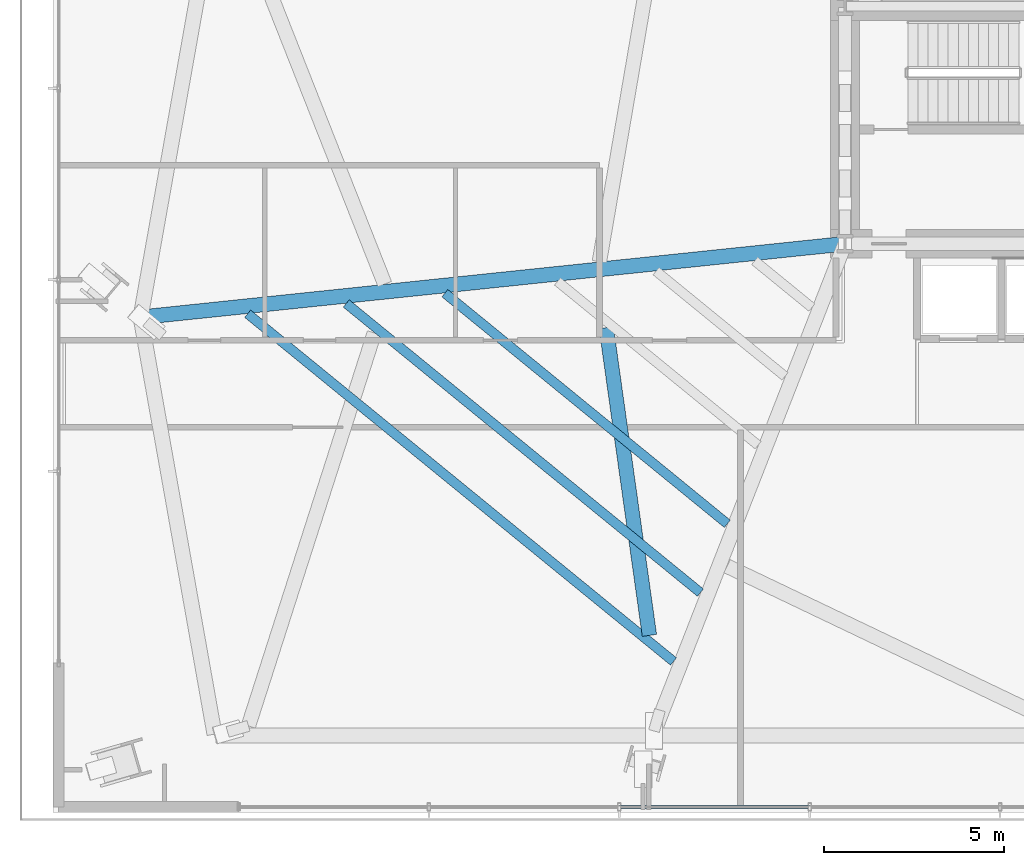
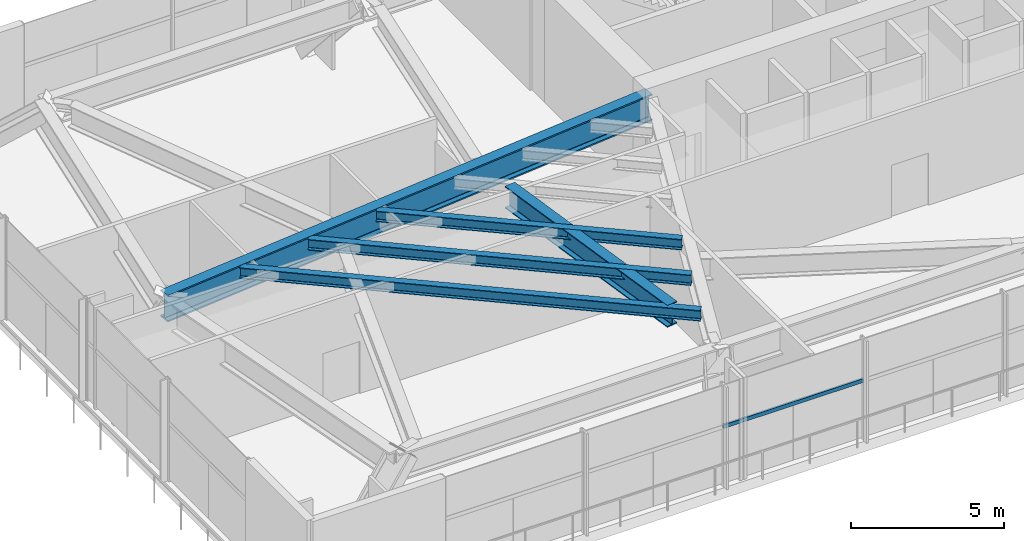
# One storey, part 5 of 29: 5 beams, 1 member, 1 element without a shape of its own.
"""IFC4 building model written with IfcOpenShell, lengths in metres."""

from ifc_helpers import new_model, si_unit, direction, frame, origin, origin_2d, place, context, subcontext, project, spatial, hollow_rectangle, i_section, extrude, source, transform, mapped, material, material_profile, profile_set, type_object, type_shapes, element, aggregate, save


model = new_model("IFC4")

# Units and contexts
model_context = context("Model", 3, precision=1e-05, world=origin(), true_north=direction((0.0, 1.0)))
body_context = subcontext(model_context, "Body", "Model", "MODEL_VIEW")
ifc_project = project(units=[si_unit("LENGTHUNIT", "METRE"), si_unit("AREAUNIT", "SQUARE_METRE"), si_unit("VOLUMEUNIT", "CUBIC_METRE"), si_unit("PLANEANGLEUNIT", "RADIAN"), si_unit("MASSUNIT", "GRAM", prefix="KILO")], contexts=[model_context])

# Site, building, storey
site_placement = place(None, origin())
site = spatial("IfcSite", under=ifc_project, at=site_placement, CompositionType="ELEMENT")
building_placement = place(site_placement, origin())
building = spatial("IfcBuilding", under=site, at=building_placement, Name="Astriad Promenade Condominiums", CompositionType="ELEMENT")
storey_placement = place(building_placement, frame((0.0, 0.0, 18.5)))
storey = spatial("IfcBuildingStorey", under=building, at=storey_placement, Name="L04", CompositionType="ELEMENT", Elevation=18.5)

# Beams
ifc_material_1 = material(Name="Steel ASTM A992 Grade 50", Category="steel")
ifc_material_profile_1 = material_profile(ifc_material_1, i_section(OverallWidth=0.409423828125, OverallDepth=1.06591796875, WebThickness=0.031005859375, FlangeThickness=0.055908203125, FilletRadius=0.025390625, at=origin_2d()), Name="W40X397")
ifc_profile_set_1 = profile_set([ifc_material_profile_1], Name="Steel ASTM A992 Grade 50")
beam_type_1 = type_object("IfcBeamType", Name="STEEL TRANSFER GIRDER W40X397", PredefinedType="BEAM", material=ifc_profile_set_1)
shared_shape_1 = source(origin(), body_context, "Body", "SweptSolid", [
    extrude(i_section(OverallWidth=0.409423828125, OverallDepth=1.06591796875, WebThickness=0.031005859375, FlangeThickness=0.055908203125, FilletRadius=0.025390625, at=origin_2d()), origin(), (0.0, 0.0, 1.0), 19.594482421875),
])
type_shapes(beam_type_1, [shared_shape_1])
beam_1_placement = place(storey_placement, frame((6.87158203125, 15.361083984375, 3.547119140625), z_axis=(0.994594120282, 0.103838990272, 0.0), x_axis=(-0.103838990272, 0.994594120282, 0.0)))
element("IfcBeam", 1, at=beam_1_placement, inside=storey, type_object=beam_type_1, Name="Primary Floor Girder PG-WM-L04", PredefinedType="BEAM", context=body_context, shape_type="MappedRepresentation", body=[
    mapped(shared_shape_1, transform((0.0, 0.0, 0.0), scale=1.0)),
])
ifc_material_profile_2 = material_profile(ifc_material_1, i_section(OverallWidth=0.26318359375, OverallDepth=0.425537109375, WebThickness=0.01318359375, FlangeThickness=0.022216796875, FilletRadius=0.013916015625, at=origin_2d()), Name="W16X89")
ifc_profile_set_2 = profile_set([ifc_material_profile_2], Name="Steel ASTM A992 Grade 50")
beam_type_2 = type_object("IfcBeamType", Name="STEEL FLOOR JOIST W16X89", PredefinedType="JOIST", material=ifc_profile_set_2)
shared_shape_2 = source(origin(), body_context, "Body", "SweptSolid", [
    extrude(i_section(OverallWidth=0.26318359375, OverallDepth=0.425537109375, WebThickness=0.01318359375, FlangeThickness=0.022216796875, FilletRadius=0.013916015625, at=origin_2d()), origin(), (0.0, 0.0, 1.0), 15.27685546875),
])
beam_2_placement = place(storey_placement, frame((9.802490234375, 15.4541015625, 3.8671875), z_axis=(0.774587061133, -0.632467299333, 0.0), x_axis=(0.632467299333, 0.774587061133, 0.0)))
element("IfcBeam", 2, at=beam_2_placement, inside=storey, type_object=beam_type_2, Name="Secondary Composite Floor Joist JW1-1-L04", PredefinedType="JOIST", context=body_context, shape_type="MappedRepresentation", body=[
    mapped(shared_shape_2, transform((0.0, 0.0, 0.0), scale=1.0)),
])
shared_shape_3 = source(origin(), body_context, "Body", "SweptSolid", [
    extrude(i_section(OverallWidth=0.26318359375, OverallDepth=0.425537109375, WebThickness=0.01318359375, FlangeThickness=0.022216796875, FilletRadius=0.013916015625, at=origin_2d()), origin(), (0.0, 0.0, 1.0), 12.704833984375),
])
beam_3_placement = place(storey_placement, frame((12.542236328125, 15.739990234375, 3.8671875), z_axis=(0.774588767817, -0.632465209139, 0.0), x_axis=(0.632465209139, 0.774588767817, 0.0)))
element("IfcBeam", 3, at=beam_3_placement, inside=storey, type_object=beam_type_2, Name="Secondary Composite Floor Joist JW1-2-L04", PredefinedType="JOIST", context=body_context, shape_type="MappedRepresentation", body=[
    mapped(shared_shape_3, transform((0.0, 0.0, 0.0), scale=1.0)),
])
shared_shape_4 = source(origin(), body_context, "Body", "SweptSolid", [
    extrude(i_section(OverallWidth=0.26318359375, OverallDepth=0.425537109375, WebThickness=0.01318359375, FlangeThickness=0.022216796875, FilletRadius=0.013916015625, at=origin_2d()), origin(), (0.0, 0.0, 1.0), 10.13330078125),
])
type_shapes(beam_type_2, [shared_shape_2, shared_shape_3, shared_shape_4])
beam_4_placement = place(storey_placement, frame((15.28173828125, 16.026123046875, 3.8671875), z_axis=(0.774589175126, -0.632464710303, 0.0), x_axis=(0.632464710303, 0.774589175126, 0.0)))
element("IfcBeam", 4, at=beam_4_placement, inside=storey, type_object=beam_type_2, Name="Secondary Composite Floor Joist JW1-3-L04", PredefinedType="JOIST", context=body_context, shape_type="MappedRepresentation", body=[
    mapped(shared_shape_4, transform((0.0, 0.0, 0.0), scale=1.0)),
])
ifc_material_profile_3 = material_profile(ifc_material_1, i_section(OverallWidth=0.4013671875, OverallDepth=0.877197265625, WebThickness=0.022216796875, FlangeThickness=0.039794921875, FilletRadius=0.02294921875, at=origin_2d()), Name="W33X263")
ifc_profile_set_3 = profile_set([ifc_material_profile_3], Name="Steel ASTM A992 Grade 50")
beam_type_3 = type_object("IfcBeamType", Name="STEEL TRANSFER CARRIER GIRDER W33X263", PredefinedType="BEAM", material=ifc_profile_set_3)
shared_shape_5 = source(origin(), body_context, "Body", "SweptSolid", [
    extrude(i_section(OverallWidth=0.4013671875, OverallDepth=0.877197265625, WebThickness=0.022216796875, FlangeThickness=0.039794921875, FilletRadius=0.02294921875, at=origin_2d()), origin(), (0.0, 0.0, 1.0), 8.63623046875),
])
type_shapes(beam_type_3, [shared_shape_5])
beam_5_placement = place(storey_placement, frame((19.765869140625, 15.0693359375, 3.641357421875), z_axis=(0.139030456845, -0.990288105588, 0.0), x_axis=(0.990288105588, 0.139030456845, 0.0)))
element("IfcBeam", 5, at=beam_5_placement, inside=storey, type_object=beam_type_3, Name="Transfer Splice Carrier TRM-SP-PC02-L04", PredefinedType="BEAM", context=body_context, shape_type="MappedRepresentation", body=[
    mapped(shared_shape_5, transform((0.0, 0.0, 0.0), scale=1.0)),
])

# Curtain wall, member
ifc_material_2 = material(Name="Anodised aluminium Black Dark Glass Unitised", Category="aluminium")
curtain_wall_type = type_object("IfcCurtainWallType", Name="CW-POD-DARK", PredefinedType="USERDEFINED", material=ifc_material_2)
curtain_wall_placement = place(storey_placement, origin())
curtain_wall = element("IfcCurtainWall", 6, at=curtain_wall_placement, inside=storey, type_object=curtain_wall_type, Name="CW-L04-S", ObjectType="UNITISED_CURTAIN_WALL", PredefinedType="USERDEFINED")
ifc_material_3 = material(Name="Anodised aluminium 6063-T6 Black", Category="aluminium")
ifc_material_profile_4 = material_profile(ifc_material_3, hollow_rectangle(XDim=0.074951171875, YDim=0.14990234375, WallThickness=0.004150390625, at=origin_2d()), Name="ALU-TRN-75X150")
ifc_profile_set_4 = profile_set([ifc_material_profile_4], Name="Anodised aluminium 6063-T6 Black")
member_type = type_object("IfcMemberType", Name="TRN-ALU-TRN-75X150", PredefinedType="USERDEFINED", material=ifc_profile_set_4)
shared_shape_6 = source(origin(), body_context, "Body", "SweptSolid", [
    extrude(hollow_rectangle(XDim=0.074951171875, YDim=0.14990234375, WallThickness=0.004150390625, at=origin_2d()), origin(), (0.0, 0.0, 1.0), 5.2900390625),
])
type_shapes(member_type, [shared_shape_6])
member_placement = place(storey_placement, frame((25.419921875, 1.75, 2.35009765625), z_axis=(-1.0, 0.0, 0.0), x_axis=(0.0, -1.0, 0.0)))
member = element("IfcMember", 7, at=member_placement, type_object=member_type, Name="CW-L04-S-TRN-07-0", ObjectType="TRANSOM", PredefinedType="USERDEFINED", context=body_context, shape_type="MappedRepresentation", body=[
    mapped(shared_shape_6, transform((0.0, 0.0, 0.0), scale=1.0)),
])
aggregate(curtain_wall, [member])

save(model, "model.ifc")
